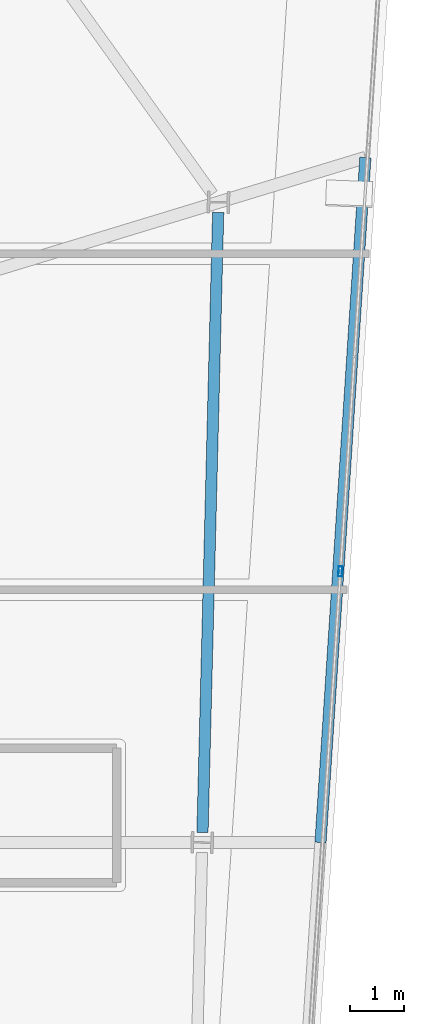
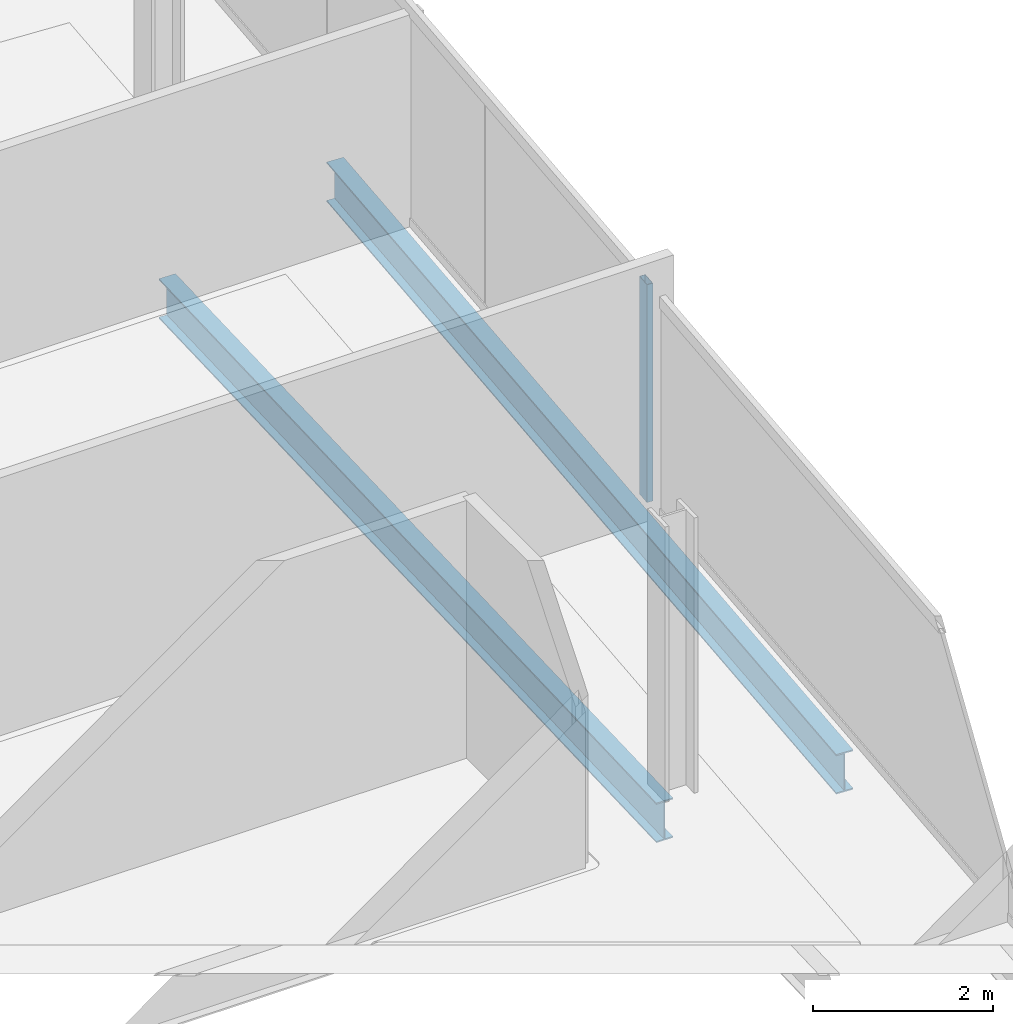
# One storey, part 11 of 24: 2 beams, 1 member, 1 element without a shape of its own.
"""IFC4 building model written with IfcOpenShell, lengths in metres."""

from ifc_helpers import new_model, si_unit, direction, frame, origin, origin_2d, place, context, subcontext, project, spatial, hollow_rectangle, i_section, extrude, material, material_profile, profile_set, type_object, element, aggregate, save


model = new_model("IFC4")

# Units and contexts
model_context = context("Model", 3, precision=1e-05, world=origin(), true_north=direction((0.0, 1.0)))
body_context = subcontext(model_context, "Body", "Model", "MODEL_VIEW")
ifc_project = project(units=[si_unit("LENGTHUNIT", "METRE"), si_unit("AREAUNIT", "SQUARE_METRE"), si_unit("VOLUMEUNIT", "CUBIC_METRE"), si_unit("PLANEANGLEUNIT", "RADIAN"), si_unit("MASSUNIT", "GRAM", prefix="KILO")], contexts=[model_context])

# Site, building, storey
site_placement = place(None, origin())
site = spatial("IfcSite", under=ifc_project, at=site_placement, CompositionType="ELEMENT")
building_placement = place(site_placement, origin())
building = spatial("IfcBuilding", under=site, at=building_placement, Name="Haldenkirk Collegiate Tower", CompositionType="ELEMENT")
storey_placement = place(building_placement, frame((0.0, 0.0, 317.699951171875)))
storey = spatial("IfcBuildingStorey", under=building, at=storey_placement, Name="L80", CompositionType="ELEMENT", Elevation=317.699951171875)

# Beams
ifc_material_1 = material(Name="Steel ASTM A992 Grade 50", Category="steel")
ifc_material_profile_1 = material_profile(ifc_material_1, i_section(OverallWidth=0.2099609375, OverallDepth=0.537109375, WebThickness=0.010986328125, FlangeThickness=0.017333984375, at=origin_2d()), Name="W21X68")
ifc_profile_set_1 = profile_set([ifc_material_profile_1], Name="Steel ASTM A992 Grade 50")
beam_type = type_object("IfcBeamType", Name="BM-SPANDREL-W21X68", PredefinedType="SPANDREL", material=ifc_profile_set_1)
beam_1_placement = place(storey_placement, frame((55.8984375, 25.684326171875, -0.528564453125), z_axis=(0.025302458902, 0.999679841536, 0.0), x_axis=(-0.999679841536, 0.025302458902, 0.0)))
element("IfcBeam", 1, at=beam_1_placement, inside=storey, type_object=beam_type, Name="L80 perimeter spandrel beam 03", PredefinedType="SPANDREL", context=body_context, shape_type="SweptSolid", body=[
    extrude(i_section(OverallWidth=0.2099609375, OverallDepth=0.537109375, WebThickness=0.010986328125, FlangeThickness=0.017333984375, at=origin_2d()), origin(), (0.0, 0.0, 1.0), 11.5400390625),
])
beam_2_placement = place(storey_placement, frame((58.094482421875, 25.496337890625, -0.528564453125), z_axis=(0.065392368046, 0.997859628506, 0.0), x_axis=(-0.997859628506, 0.065392368046, 0.0)))
element("IfcBeam", 2, at=beam_2_placement, inside=storey, type_object=beam_type, Name="L80 outer facade edge beam 1B", PredefinedType="SPANDREL", context=body_context, shape_type="SweptSolid", body=[
    extrude(i_section(OverallWidth=0.2099609375, OverallDepth=0.537109375, WebThickness=0.010986328125, FlangeThickness=0.017333984375, at=origin_2d()), origin(), (0.0, 0.0, 1.0), 12.772216796875),
])

# Curtain wall, member
ifc_material_2 = material(Name="Anodised architectural bronze aluminium", Category="aluminium")
curtain_wall_type = type_object("IfcCurtainWallType", Name="CW-SYS2-CONCAVE", PredefinedType="USERDEFINED", material=ifc_material_2)
curtain_wall_placement = place(storey_placement, origin())
curtain_wall = element("IfcCurtainWall", 3, at=curtain_wall_placement, inside=storey, type_object=curtain_wall_type, Name="L80 South concave recessed bronze-anodised curtain wall", ObjectType="UNITISED CURTAIN WALL", PredefinedType="USERDEFINED")
ifc_material_profile_2 = material_profile(ifc_material_2, hollow_rectangle(XDim=0.074951171875, YDim=0.18994140625, WallThickness=0.0048828125, at=origin_2d()), Name="CW-MUL-02")
ifc_profile_set_2 = profile_set([ifc_material_profile_2], Name="Anodised architectural bronze aluminium")
member_type = type_object("IfcMemberType", Name="CW-MUL-02", PredefinedType="MULLION", material=ifc_profile_set_2)
member_placement = place(storey_placement, frame((58.465087890625, 30.54052734375, 0.0), z_axis=(0.0, 0.0, 1.0), x_axis=(0.99785893177, -0.065402999064, 0.0)))
member = element("IfcMember", 4, at=member_placement, type_object=member_type, Name="CW-02 mullion 2", PredefinedType="MULLION", context=body_context, shape_type="SweptSolid", body=[
    extrude(hollow_rectangle(XDim=0.074951171875, YDim=0.18994140625, WallThickness=0.0048828125, at=origin_2d()), origin(), (0.0, 0.0, 1.0), 2.947998046875),
])
aggregate(curtain_wall, [member])

save(model, "model.ifc")
